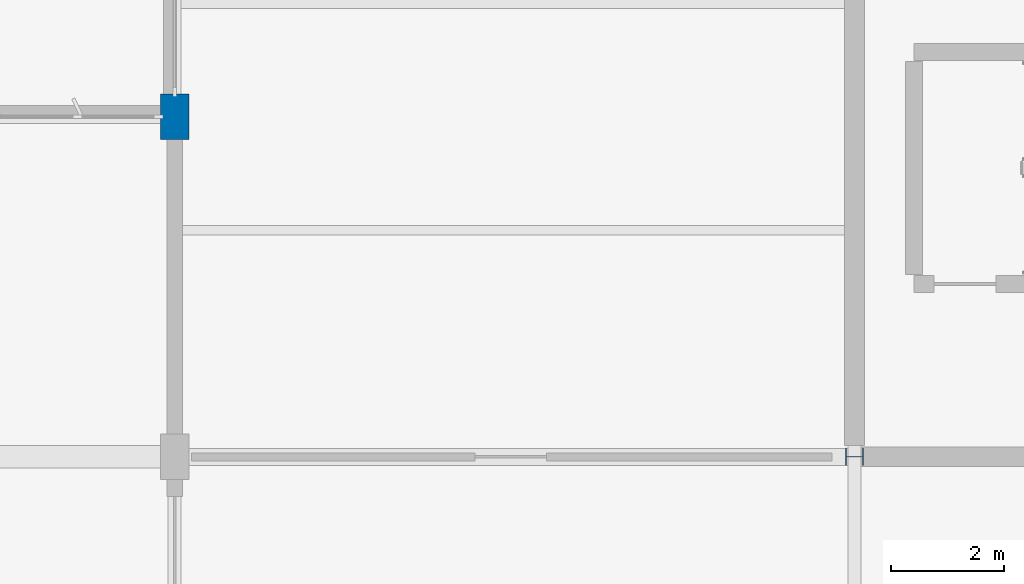
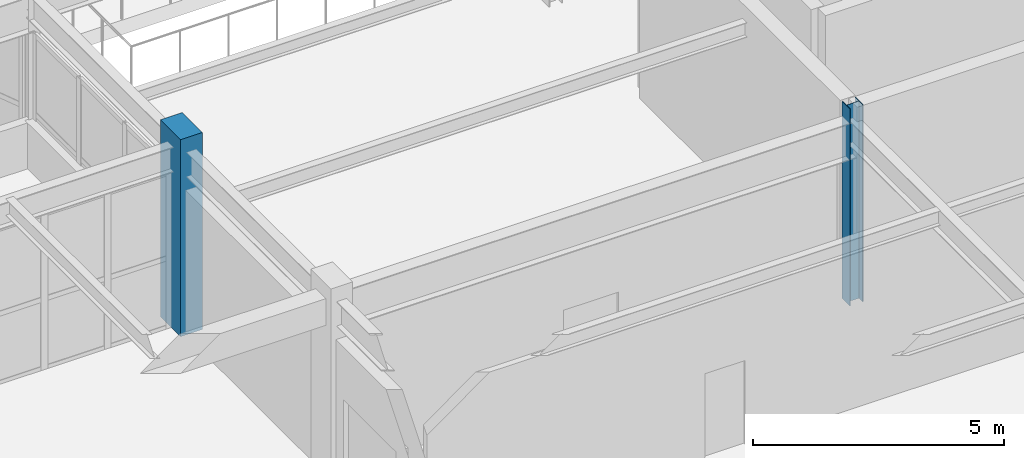
# One storey, part 41 of 226: 2 columns.
"""IFC4 building model written with IfcOpenShell, lengths in metres."""

from ifc_helpers import new_model, si_unit, direction, frame, origin, origin_2d, place, context, subcontext, project, spatial, rectangle, i_section, extrude, material, material_profile, profile_set, type_object, element, save


model = new_model("IFC4")

# Units and contexts
model_context = context("Model", 3, precision=1e-05, world=origin(), true_north=direction((0.0, 1.0)))
body_context = subcontext(model_context, "Body", "Model", "MODEL_VIEW")
ifc_project = project(units=[si_unit("LENGTHUNIT", "METRE"), si_unit("AREAUNIT", "SQUARE_METRE"), si_unit("VOLUMEUNIT", "CUBIC_METRE"), si_unit("PLANEANGLEUNIT", "RADIAN"), si_unit("MASSUNIT", "GRAM", prefix="KILO")], contexts=[model_context])

# Site, building, storey
site_placement = place(None, origin())
site = spatial("IfcSite", under=ifc_project, at=site_placement, CompositionType="ELEMENT")
building_placement = place(site_placement, origin())
building = spatial("IfcBuilding", under=site, at=building_placement, Name="Tarnwether General Hospital", CompositionType="ELEMENT")
storey_placement = place(building_placement, frame((0.0, 0.0, 4.800048828125)))
storey = spatial("IfcBuildingStorey", under=building, at=storey_placement, Name="L01", CompositionType="ELEMENT", Elevation=4.800048828125)

# Columns
ifc_material_1 = material(Name="Steel Grade 350 (350 MPa)", Category="steel")
ifc_material_profile_1 = material_profile(ifc_material_1, i_section(OverallWidth=0.306884765625, OverallDepth=0.31494140625, WebThickness=0.011962890625, FlangeThickness=0.018798828125, at=origin_2d()), Name="310UC118")
ifc_profile_set_1 = profile_set([ifc_material_profile_1], Name="Steel Grade 350 (350 MPa)")
column_type_1 = type_object("IfcColumnType", Name="COL-07", PredefinedType="COLUMN", material=ifc_profile_set_1)
column_1_placement = place(storey_placement, frame((156.0, 21.60009765625, 0.0), z_axis=(0.0, 0.0, 1.0), x_axis=(0.0, 1.0, 0.0)))
element("IfcColumn", 1, at=column_1_placement, inside=storey, type_object=column_type_1, Name="Column COLG-L01-15600_2160", PredefinedType="COLUMN", context=body_context, shape_type="SweptSolid", body=[
    extrude(i_section(OverallWidth=0.306884765625, OverallDepth=0.31494140625, WebThickness=0.011962890625, FlangeThickness=0.018798828125, at=origin_2d()), origin(), (0.0, 0.0, 1.0), 4.800048828125),
])
ifc_material_2 = material(Name="Concrete 50 MPa", Category="concrete")
ifc_material_profile_2 = material_profile(ifc_material_2, rectangle(XDim=0.5, YDim=0.800048828125, at=origin_2d()), Name="RC-PIL-500x800")
ifc_profile_set_2 = profile_set([ifc_material_profile_2], Name="Concrete 50 MPa")
column_type_2 = type_object("IfcColumnType", Name="COL-23", PredefinedType="PILASTER", material=ifc_profile_set_2)
column_2_placement = place(storey_placement, frame((144.0, 27.60009765625, 0.0), z_axis=(0.0, 0.0, 1.0), x_axis=(1.0, 0.0, 0.0)))
element("IfcColumn", 2, at=column_2_placement, inside=storey, type_object=column_type_2, Name="Column COLG-L01-14400_2760", PredefinedType="PILASTER", context=body_context, shape_type="SweptSolid", body=[
    extrude(rectangle(XDim=0.5, YDim=0.800048828125, at=origin_2d()), origin(), (0.0, 0.0, 1.0), 4.800048828125),
])

save(model, "model.ifc")
